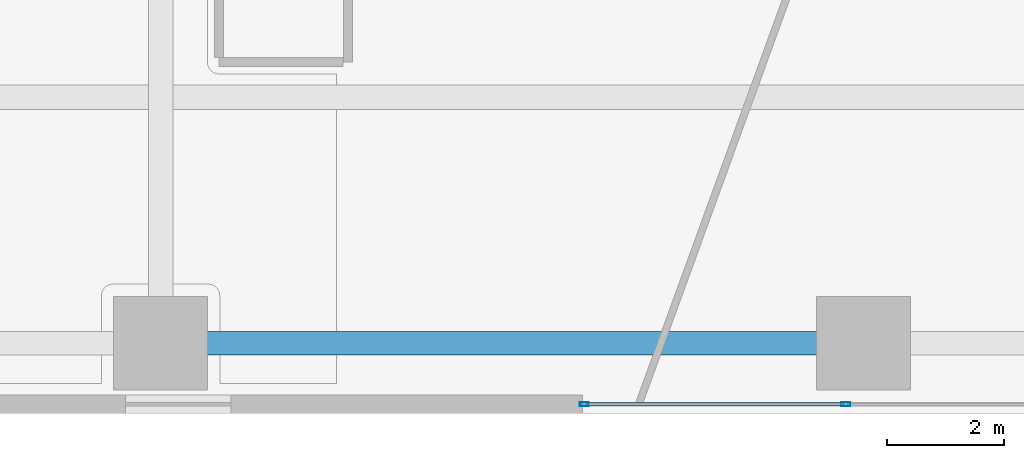
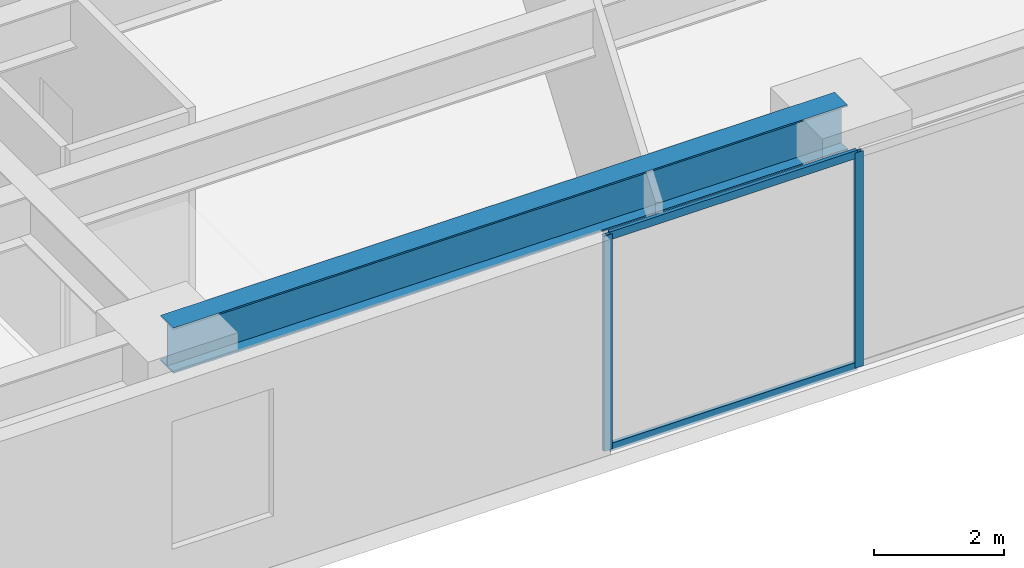
# One storey, part 2 of 25: 4 members, 1 beam, 1 element without a shape of its own.
"""IFC4 building model written with IfcOpenShell, lengths in metres."""

from ifc_helpers import new_model, si_unit, direction, frame, origin, origin_2d, place, context, subcontext, project, spatial, hollow_rectangle, i_section, extrude, source, transform, mapped, material, layer, layer_set, material_profile, profile_set, type_object, type_shapes, element, aggregate, save


model = new_model("IFC4")

# Units and contexts
model_context = context("Model", 3, precision=1e-05, world=origin(), true_north=direction((0.0, 1.0)))
body_context = subcontext(model_context, "Body", "Model", "MODEL_VIEW")
ifc_project = project(units=[si_unit("LENGTHUNIT", "METRE"), si_unit("AREAUNIT", "SQUARE_METRE"), si_unit("VOLUMEUNIT", "CUBIC_METRE"), si_unit("PLANEANGLEUNIT", "RADIAN"), si_unit("MASSUNIT", "GRAM", prefix="KILO")], contexts=[model_context])

# Site, building, storey
site_placement = place(None, origin())
site = spatial("IfcSite", under=ifc_project, at=site_placement, CompositionType="ELEMENT")
building_placement = place(site_placement, origin())
building = spatial("IfcBuilding", under=site, at=building_placement, Name="Talar Marvaseh", CompositionType="ELEMENT")
storey_placement = place(building_placement, frame((0.0, 0.0, 5.199951171875)))
storey = spatial("IfcBuildingStorey", under=building, at=storey_placement, Name="L01", CompositionType="ELEMENT", Elevation=5.199951171875)

# Beam
ifc_material_1 = material(Name="Steel S355", Category="steel")
ifc_material_profile_1 = material_profile(ifc_material_1, i_section(OverallWidth=0.39990234375, OverallDepth=0.85498046875, WebThickness=0.018310546875, FlangeThickness=0.029296875, at=origin_2d()), Name="W840x299")
ifc_profile_set_1 = profile_set([ifc_material_profile_1], Name="Steel S355")
beam_type = type_object("IfcBeamType", Name="Concourse Primary Girder W840x299", PredefinedType="BEAM", material=ifc_profile_set_1)
beam_placement = place(storey_placement, frame((10.800048828125, 9.199951171875, 3.87255859375), z_axis=(1.0, 0.0, 0.0), x_axis=(0.0, 1.0, 0.0)))
element("IfcBeam", 1, at=beam_placement, inside=storey, type_object=beam_type, Name="L01 Concourse Primary Girder W840x299", PredefinedType="BEAM", context=body_context, shape_type="SweptSolid", body=[
    extrude(i_section(OverallWidth=0.39990234375, OverallDepth=0.85498046875, WebThickness=0.018310546875, FlangeThickness=0.029296875, at=origin_2d()), origin(), (0.0, 0.0, 1.0), 12.0),
])

# Curtain wall, members
ifc_material_2 = material(Name="Architectural Aluminium", Category="aluminium")
ifc_layer = layer(ifc_material_2, 0.25)
ifc_layer_set = layer_set([ifc_layer], Name="Architectural Aluminium")
curtain_wall_type = type_object("IfcCurtainWallType", Name="Station Podium Monumental Iwan Curtain Wall", PredefinedType="NOTDEFINED", material=ifc_layer_set)
curtain_wall_placement = place(storey_placement, origin())
curtain_wall = element("IfcCurtainWall", 2, at=curtain_wall_placement, inside=storey, type_object=curtain_wall_type, Name="L01 Station Podium Monumental Iwan Curtain Wall", PredefinedType="NOTDEFINED")
ifc_material_profile_2 = material_profile(ifc_material_2, hollow_rectangle(XDim=0.06494140625, YDim=0.14990234375, WallThickness=0.00390625, at=origin_2d()), Name="RHS150x65x4")
ifc_profile_set_2 = profile_set([ifc_material_profile_2], Name="Architectural Aluminium")
member_type_1 = type_object("IfcMemberType", Name="Unitised Curtain Wall Slim Transom RHS150x65x4", PredefinedType="USERDEFINED", material=ifc_profile_set_2)
shared_shape_1 = source(origin(), body_context, "Body", "SweptSolid", [
    extrude(hollow_rectangle(XDim=0.06494140625, YDim=0.14990234375, WallThickness=0.00390625, at=origin_2d()), origin(), (0.0, 0.0, 1.0), 4.402587890625),
])
type_shapes(member_type_1, [shared_shape_1])
member_1_placement = place(storey_placement, frame((22.467529296875, 8.159912109375, 0.032470703125), z_axis=(-1.0, 0.0, 0.0), x_axis=(0.0, -1.0, 0.0)))
member_1 = element("IfcMember", 3, at=member_1_placement, type_object=member_type_1, Name="CW-POD transom 4.1", ObjectType="TRANSOM", PredefinedType="USERDEFINED", context=body_context, shape_type="MappedRepresentation", body=[
    mapped(shared_shape_1, transform((0.0, 0.0, 0.0), x_axis=(1.0, 0.0, 0.0), y_axis=(0.0, 1.0, 0.0), z_axis=(0.0, 0.0, 1.0), scale=1.0)),
])
member_2_placement = place(storey_placement, frame((22.467529296875, 8.159912109375, 4.017578125), z_axis=(-1.0, 0.0, 0.0), x_axis=(0.0, -1.0, 0.0)))
member_2 = element("IfcMember", 4, at=member_2_placement, type_object=member_type_1, Name="CW-POD transom 4.2", ObjectType="TRANSOM", PredefinedType="USERDEFINED", context=body_context, shape_type="MappedRepresentation", body=[
    mapped(shared_shape_1, transform((0.0, 0.0, 0.0), x_axis=(1.0, 0.0, 0.0), y_axis=(0.0, 1.0, 0.0), z_axis=(0.0, 0.0, 1.0), scale=1.0)),
])
ifc_material_profile_3 = material_profile(ifc_material_2, hollow_rectangle(XDim=0.06494140625, YDim=0.14990234375, WallThickness=0.00390625, at=origin_2d()), Name="RHS150x65x4")
ifc_profile_set_3 = profile_set([ifc_material_profile_3], Name="Architectural Aluminium")
member_type_2 = type_object("IfcMemberType", Name="Unitised Curtain Wall Slim Mullion RHS150x65x4", PredefinedType="MULLION", material=ifc_profile_set_3)
shared_shape_2 = source(origin(), body_context, "Body", "SweptSolid", [
    extrude(hollow_rectangle(XDim=0.06494140625, YDim=0.14990234375, WallThickness=0.00390625, at=origin_2d()), origin(), (0.0, 0.0, 1.0), 4.050048828125),
])
type_shapes(member_type_2, [shared_shape_2])
member_3_placement = place(storey_placement, frame((22.5, 8.159912109375, 0.0), z_axis=(0.0, 0.0, 1.0), x_axis=(0.0, -1.0, 0.0)))
member_3 = element("IfcMember", 5, at=member_3_placement, type_object=member_type_2, Name="CW-POD mullion 4", PredefinedType="MULLION", context=body_context, shape_type="MappedRepresentation", body=[
    mapped(shared_shape_2, transform((0.0, 0.0, 0.0), x_axis=(1.0, 0.0, 0.0), y_axis=(0.0, 1.0, 0.0), z_axis=(0.0, 0.0, 1.0), scale=1.0)),
])
member_4_placement = place(storey_placement, frame((18.032470703125, 8.159912109375, 0.0), z_axis=(0.0, 0.0, 1.0), x_axis=(0.0, -1.0, 0.0)))
member_4 = element("IfcMember", 6, at=member_4_placement, type_object=member_type_2, Name="CW-POD mullion 5", PredefinedType="MULLION", context=body_context, shape_type="MappedRepresentation", body=[
    mapped(shared_shape_2, transform((0.0, 0.0, 0.0), x_axis=(1.0, 0.0, 0.0), y_axis=(0.0, 1.0, 0.0), z_axis=(0.0, 0.0, 1.0), scale=1.0)),
])
aggregate(curtain_wall, [member_3, member_4, member_1, member_2])

save(model, "model.ifc")
